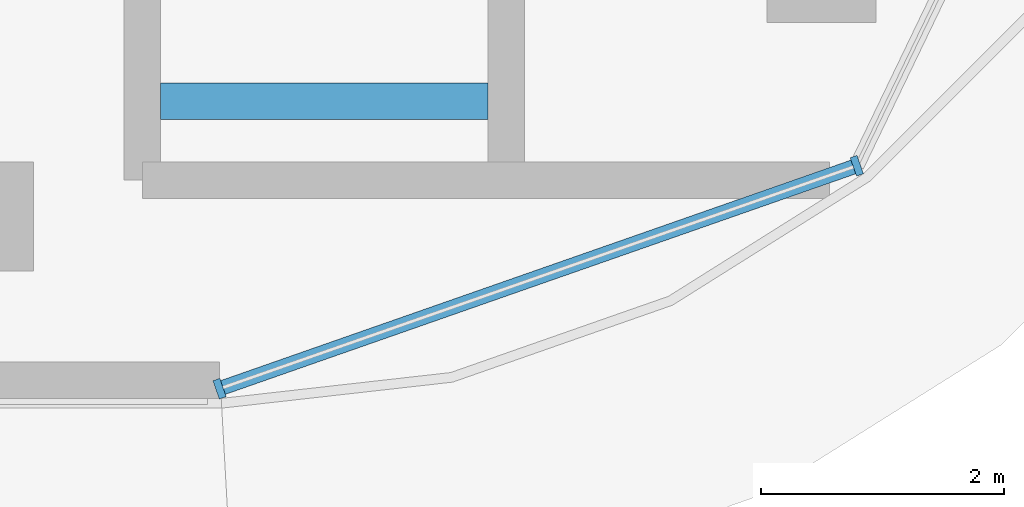
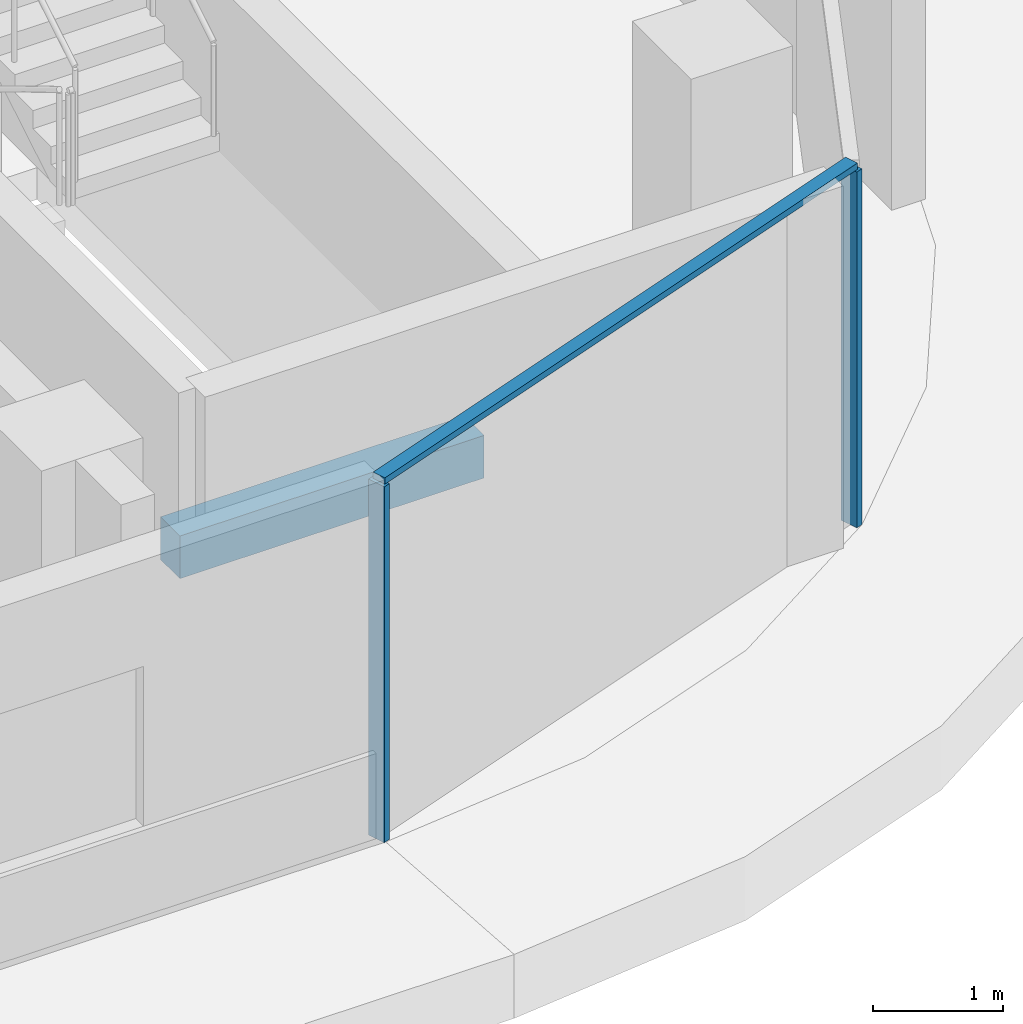
# One storey, part 3 of 21: 3 members, 1 beam, 1 element without a shape of its own.
"""IFC4 building model written with IfcOpenShell, lengths in metres."""

from ifc_helpers import new_model, si_unit, direction, frame, origin, origin_2d, place, context, subcontext, project, spatial, rectangle, extrude, material, material_profile, profile_set, type_object, element, aggregate, save


model = new_model("IFC4")

# Units and contexts
model_context = context("Model", 3, precision=1e-05, world=origin(), true_north=direction((0.0, 1.0)))
body_context = subcontext(model_context, "Body", "Model", "MODEL_VIEW")
ifc_project = project(units=[si_unit("LENGTHUNIT", "METRE"), si_unit("AREAUNIT", "SQUARE_METRE"), si_unit("VOLUMEUNIT", "CUBIC_METRE"), si_unit("PLANEANGLEUNIT", "RADIAN"), si_unit("MASSUNIT", "GRAM", prefix="KILO")], contexts=[model_context])

# Site, building, storey
site_placement = place(None, origin())
site = spatial("IfcSite", under=ifc_project, at=site_placement, CompositionType="ELEMENT")
building_placement = place(site_placement, origin())
building = spatial("IfcBuilding", under=site, at=building_placement, Name="Ogive Portal Towers", CompositionType="ELEMENT")
storey_placement = place(building_placement, frame((0.0, 0.0, 225.39990234375)))
storey = spatial("IfcBuildingStorey", under=building, at=storey_placement, Name="L56", CompositionType="ELEMENT", Elevation=225.39990234375)

# Beam
ifc_material_1 = material(Name="Concrete C40/50", Category="concrete")
ifc_material_profile_1 = material_profile(ifc_material_1, rectangle(XDim=0.300048828125, YDim=0.39990234375, at=origin_2d()), Name="RC 300x400")
ifc_profile_set_1 = profile_set([ifc_material_profile_1], Name="Concrete C40/50")
beam_type = type_object("IfcBeamType", Name="BEAM RC 300x400", PredefinedType="BEAM", material=ifc_profile_set_1)
beam_placement = place(storey_placement, frame((87.0, 22.449951171875, 1.4501953125), z_axis=(1.0, 0.0, 0.0), x_axis=(0.0, 1.0, 0.0)))
element("IfcBeam", 1, at=beam_placement, inside=storey, type_object=beam_type, Name="Landing beam L56", PredefinedType="BEAM", context=body_context, shape_type="SweptSolid", body=[
    extrude(rectangle(XDim=0.300048828125, YDim=0.39990234375, at=origin_2d()), origin(), (0.0, 0.0, 1.0), 2.699951171875),
])

# Curtain wall, members
ifc_material_2 = material(Name="Glass, clear low-iron insulated glazing", Category="glass")
curtain_wall_type = type_object("IfcCurtainWallType", Name="CW FRONT RIBBON 4500", PredefinedType="NOTDEFINED", material=ifc_material_2)
curtain_wall_placement = place(storey_placement, origin())
curtain_wall = element("IfcCurtainWall", 2, at=curtain_wall_placement, inside=storey, type_object=curtain_wall_type, Name="A:L56:f07:cwa", PredefinedType="NOTDEFINED")
ifc_material_3 = material(Name="Aluminium 6063 anodised", Category="aluminium")
ifc_material_profile_2 = material_profile(ifc_material_3, rectangle(XDim=0.159912109375, YDim=0.06005859375, at=origin_2d()), Name="AL 60x160")
ifc_profile_set_2 = profile_set([ifc_material_profile_2], Name="Aluminium 6063 anodised")
member_type_1 = type_object("IfcMemberType", Name="CW MULLION 60x160", PredefinedType="MULLION", material=ifc_profile_set_2)
member_1_placement = place(storey_placement, frame((87.486328125, 20.080078125, 0.0), z_axis=(0.0, 0.0, 1.0), x_axis=(-0.33027906196, 0.943883330307, 0.0)))
member_1 = element("IfcMember", 3, at=member_1_placement, type_object=member_type_1, Name="mullion", PredefinedType="MULLION", context=body_context, shape_type="SweptSolid", body=[
    extrude(rectangle(XDim=0.159912109375, YDim=0.06005859375, at=origin_2d()), origin(), (0.0, 0.0, 1.0), 3.340087890625),
])
member_2_placement = place(storey_placement, frame((92.741943359375, 21.9189453125, 0.0), z_axis=(0.0, 0.0, 1.0), x_axis=(-0.33027906196, 0.943883330307, 0.0)))
member_2 = element("IfcMember", 4, at=member_2_placement, type_object=member_type_1, Name="mullion", PredefinedType="MULLION", context=body_context, shape_type="SweptSolid", body=[
    extrude(rectangle(XDim=0.159912109375, YDim=0.06005859375, at=origin_2d()), origin(), (0.0, 0.0, 1.0), 3.340087890625),
])
ifc_material_profile_3 = material_profile(ifc_material_3, rectangle(XDim=0.1201171875, YDim=0.06005859375, at=origin_2d()), Name="AL 120x60")
ifc_profile_set_3 = profile_set([ifc_material_profile_3], Name="Aluminium 6063 anodised")
member_type_2 = type_object("IfcMemberType", Name="CW TRANSOM 60x120", PredefinedType="USERDEFINED", material=ifc_profile_set_3)
member_3_placement = place(storey_placement, frame((87.486328125, 20.080078125, 3.3701171875), z_axis=(0.943891847017, 0.330254721593, 0.0), x_axis=(-0.330254721593, 0.943891847017, 0.0)))
member_3 = element("IfcMember", 5, at=member_3_placement, type_object=member_type_2, Name="transom", ObjectType="TRANSOM", PredefinedType="USERDEFINED", context=body_context, shape_type="SweptSolid", body=[
    extrude(rectangle(XDim=0.1201171875, YDim=0.06005859375, at=origin_2d()), origin(), (0.0, 0.0, 1.0), 5.568115234375),
])
aggregate(curtain_wall, [member_3, member_1, member_2])

save(model, "model.ifc")
